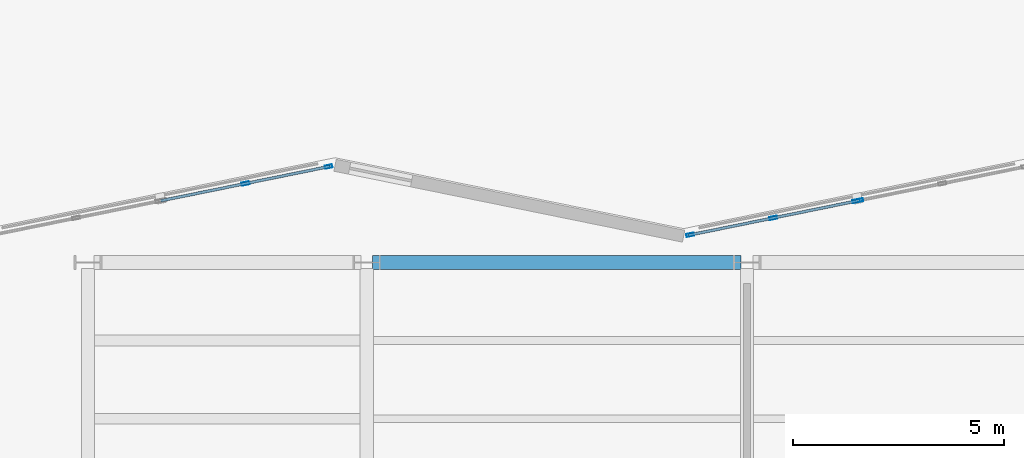
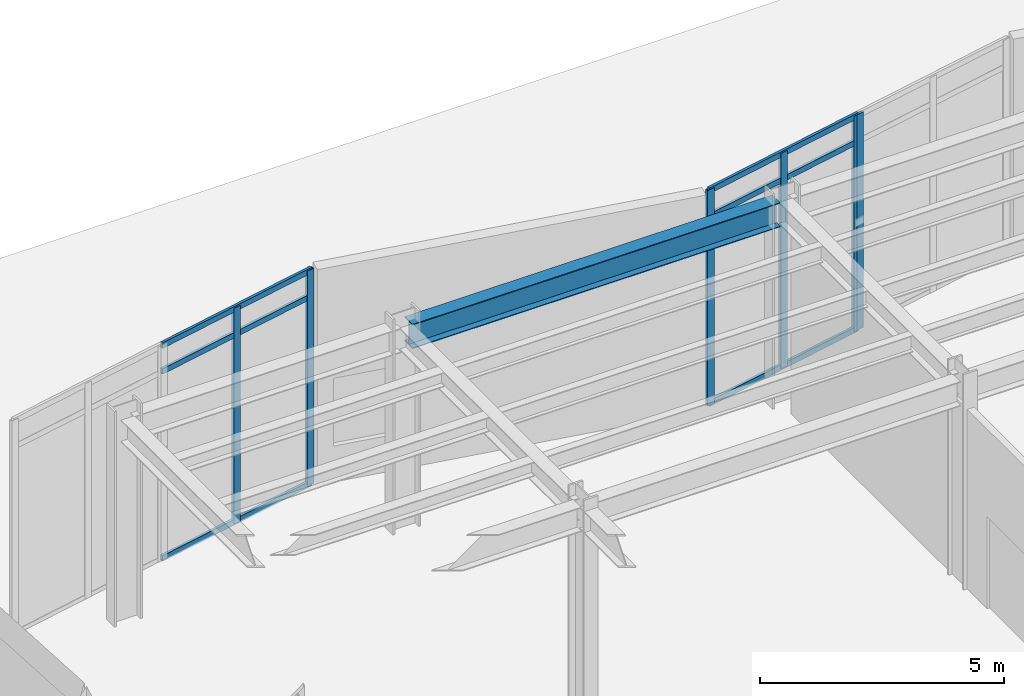
# One storey, part 54 of 94: 12 members, 1 beam, 3 elements without a shape of their own.
"""IFC4 building model written with IfcOpenShell, lengths in metres."""

from ifc_helpers import new_model, si_unit, direction, frame, origin, origin_2d, place, context, subcontext, project, spatial, hollow_rectangle, i_section, extrude, material, layer, layer_set, material_profile, profile_set, type_object, element, aggregate, save


model = new_model("IFC4")

# Units and contexts
model_context = context("Model", 3, precision=1e-05, world=origin(), true_north=direction((0.0, 1.0)))
body_context = subcontext(model_context, "Body", "Model", "MODEL_VIEW")
ifc_project = project(units=[si_unit("LENGTHUNIT", "METRE"), si_unit("AREAUNIT", "SQUARE_METRE"), si_unit("VOLUMEUNIT", "CUBIC_METRE"), si_unit("PLANEANGLEUNIT", "RADIAN"), si_unit("MASSUNIT", "GRAM", prefix="KILO")], contexts=[model_context])

# Site, building, storey
site_placement = place(None, origin())
site = spatial("IfcSite", under=ifc_project, at=site_placement, CompositionType="ELEMENT")
building_placement = place(site_placement, origin())
building = spatial("IfcBuilding", under=site, at=building_placement, Name="Sollismere Congress Hotel", CompositionType="ELEMENT")
storey_placement = place(building_placement, origin())
storey = spatial("IfcBuildingStorey", under=building, at=storey_placement, Name="L00", CompositionType="ELEMENT", Elevation=0.0)

# Beam
ifc_material_1 = material(Name="Steel ASTM A992 Grade 50", Category="steel")
ifc_material_profile_1 = material_profile(ifc_material_1, i_section(OverallWidth=0.324951171875, OverallDepth=0.612060546875, WebThickness=0.0126953125, FlangeThickness=0.01904296875, at=origin_2d()), Name="W24X104")
ifc_profile_set_1 = profile_set([ifc_material_profile_1], Name="Steel ASTM A992 Grade 50")
beam_type = type_object("IfcBeamType", Name="BM-G24", PredefinedType="BEAM", material=ifc_profile_set_1)
beam_placement = place(storey_placement, frame((67.139892578125, 102.39990234375, 4.80908203125), z_axis=(1.0, 0.0, 0.0), x_axis=(0.0, 1.0, 0.0)))
element("IfcBeam", 1, at=beam_placement, inside=storey, type_object=beam_type, Name="Beam BM-L00-1217", PredefinedType="BEAM", context=body_context, shape_type="SweptSolid", body=[
    extrude(i_section(OverallWidth=0.324951171875, OverallDepth=0.612060546875, WebThickness=0.0126953125, FlangeThickness=0.01904296875, at=origin_2d()), origin(), (0.0, 0.0, 1.0), 8.72021484375),
])

# Curtain wall, members
ifc_material_2 = material(Name="Anodized Bronze Curtain Wall & Low-E Triple Glazing", Category="glass")
ifc_layer = layer(ifc_material_2, 0.199951171875, Name="Anodized Bronze Curtain Wall & Low-E Triple Glazing")
ifc_layer_set = layer_set([ifc_layer], Name="Anodized Bronze Curtain Wall & Low-E Triple Glazing")
curtain_wall_type = type_object("IfcCurtainWallType", Name="CW-GLZ36", PredefinedType="USERDEFINED", material=ifc_layer_set)
curtain_wall_1_placement = place(storey_placement, origin())
curtain_wall_1 = element("IfcCurtainWall", 2, at=curtain_wall_1_placement, inside=storey, type_object=curtain_wall_type, Name="Unitised curtain wall CW-L00-066", ObjectType="UNITISED CURTAIN WALL", PredefinedType="USERDEFINED")
ifc_material_3 = material(Name="Anodized Aluminum 6063-T6", Category="aluminium")
ifc_material_profile_2 = material_profile(ifc_material_3, hollow_rectangle(XDim=0.074951171875, YDim=0.179931640625, WallThickness=0.0048828125, at=origin_2d()), Name="ALU180X75X5")
ifc_profile_set_2 = profile_set([ifc_material_profile_2], Name="Anodized Aluminum 6063-T6")
member_type_1 = type_object("IfcMemberType", Name="ML-CW180", PredefinedType="MULLION", material=ifc_profile_set_2)
member_1_placement = place(storey_placement, frame((64.128662109375, 104.266845703125, 0.0), z_axis=(0.0, 0.0, 1.0), x_axis=(-0.199367934417, 0.979924704621, 0.0)))
member_1 = element("IfcMember", 3, at=member_1_placement, type_object=member_type_1, Name="CWL-CW-L00-066-ML02", PredefinedType="MULLION", context=body_context, shape_type="SweptSolid", body=[
    extrude(hollow_rectangle(XDim=0.074951171875, YDim=0.179931640625, WallThickness=0.0048828125, at=origin_2d()), origin(), (0.0, 0.0, 1.0), 5.39990234375),
])
member_2_placement = place(storey_placement, frame((66.09521484375, 104.6669921875, 0.0), z_axis=(0.0, 0.0, 1.0), x_axis=(-0.199367934417, 0.979924704621, 0.0)))
member_2 = element("IfcMember", 4, at=member_2_placement, type_object=member_type_1, Name="CWL-CW-L00-066-ML03", PredefinedType="MULLION", context=body_context, shape_type="SweptSolid", body=[
    extrude(hollow_rectangle(XDim=0.074951171875, YDim=0.179931640625, WallThickness=0.0048828125, at=origin_2d()), origin(), (0.0, 0.0, 1.0), 5.39990234375),
])

curtain_wall_2_placement = place(storey_placement, origin())
curtain_wall_2 = element("IfcCurtainWall", 5, at=curtain_wall_2_placement, inside=storey, type_object=curtain_wall_type, Name="Unitised curtain wall CW-L00-067", ObjectType="UNITISED CURTAIN WALL", PredefinedType="USERDEFINED")
member_3_placement = place(storey_placement, frame((74.65478515625, 103.051513671875, 0.0), z_axis=(0.0, 0.0, 1.0), x_axis=(-0.199367934417, 0.979924704621, 0.0)))
member_3 = element("IfcMember", 6, at=member_3_placement, type_object=member_type_1, Name="CWL-CW-L00-067-ML01", PredefinedType="MULLION", context=body_context, shape_type="SweptSolid", body=[
    extrude(hollow_rectangle(XDim=0.074951171875, YDim=0.179931640625, WallThickness=0.0048828125, at=origin_2d()), origin(), (0.0, 0.0, 1.0), 5.39990234375),
])
member_4_placement = place(storey_placement, frame((76.621337890625, 103.45166015625, 0.0), z_axis=(0.0, 0.0, 1.0), x_axis=(-0.199367934417, 0.979924704621, 0.0)))
member_4 = element("IfcMember", 7, at=member_4_placement, type_object=member_type_1, Name="CWL-CW-L00-067-ML02", PredefinedType="MULLION", context=body_context, shape_type="SweptSolid", body=[
    extrude(hollow_rectangle(XDim=0.074951171875, YDim=0.179931640625, WallThickness=0.0048828125, at=origin_2d()), origin(), (0.0, 0.0, 1.0), 5.39990234375),
])
member_5_placement = place(storey_placement, frame((78.587890625, 103.851806640625, 0.0), z_axis=(0.0, 0.0, 1.0), x_axis=(-0.199367934417, 0.979924704621, 0.0)))
member_5 = element("IfcMember", 8, at=member_5_placement, type_object=member_type_1, Name="CWL-CW-L00-067-ML03", PredefinedType="MULLION", context=body_context, shape_type="SweptSolid", body=[
    extrude(hollow_rectangle(XDim=0.074951171875, YDim=0.179931640625, WallThickness=0.0048828125, at=origin_2d()), origin(), (0.0, 0.0, 1.0), 5.39990234375),
])

# Curtain wall, member
curtain_wall_3_placement = place(storey_placement, origin())
curtain_wall_3 = element("IfcCurtainWall", 9, at=curtain_wall_3_placement, inside=storey, type_object=curtain_wall_type, Name="Unitised curtain wall CW-L00-068", ObjectType="UNITISED CURTAIN WALL", PredefinedType="USERDEFINED")
member_6_placement = place(storey_placement, frame((78.662109375, 103.86669921875, 0.0), z_axis=(0.0, 0.0, 1.0), x_axis=(-0.199367934417, 0.979924704621, 0.0)))
member_6 = element("IfcMember", 10, at=member_6_placement, type_object=member_type_1, Name="CWL-CW-L00-068-ML01", PredefinedType="MULLION", context=body_context, shape_type="SweptSolid", body=[
    extrude(hollow_rectangle(XDim=0.074951171875, YDim=0.179931640625, WallThickness=0.0048828125, at=origin_2d()), origin(), (0.0, 0.0, 1.0), 5.39990234375),
])
aggregate(curtain_wall_3, [member_6])

# Member
ifc_material_profile_3 = material_profile(ifc_material_3, hollow_rectangle(XDim=0.06494140625, YDim=0.139892578125, WallThickness=0.00390625, at=origin_2d()), Name="ALU140X65X4")
ifc_profile_set_3 = profile_set([ifc_material_profile_3], Name="Anodized Aluminum 6063-T6")
member_type_2 = type_object("IfcMemberType", Name="TR-CW150", PredefinedType="MEMBER", material=ifc_profile_set_3)
member_7_placement = place(storey_placement, frame((62.125, 103.859375, 0.032470703125), z_axis=(0.979930139944, 0.199341217087, 0.0), x_axis=(-0.199341217087, 0.979930139944, 0.0)))
member_7 = element("IfcMember", 11, at=member_7_placement, type_object=member_type_2, Name="CWL-CW-L00-066-TR1", PredefinedType="MEMBER", context=body_context, shape_type="SweptSolid", body=[
    extrude(hollow_rectangle(XDim=0.06494140625, YDim=0.139892578125, WallThickness=0.00390625, at=origin_2d()), origin(), (0.0, 0.0, 1.0), 4.08935546875),
])

member_8_placement = place(storey_placement, frame((62.125, 103.859375, 4.719970703125), z_axis=(0.979930139944, 0.199341217087, 0.0), x_axis=(-0.199341217087, 0.979930139944, 0.0)))
member_8 = element("IfcMember", 12, at=member_8_placement, type_object=member_type_2, Name="CWL-CW-L00-066-TR2", PredefinedType="MEMBER", context=body_context, shape_type="SweptSolid", body=[
    extrude(hollow_rectangle(XDim=0.06494140625, YDim=0.139892578125, WallThickness=0.00390625, at=origin_2d()), origin(), (0.0, 0.0, 1.0), 4.08935546875),
])

member_9_placement = place(storey_placement, frame((62.125, 103.859375, 5.367431640625), z_axis=(0.979930139944, 0.199341217087, 0.0), x_axis=(-0.199341217087, 0.979930139944, 0.0)))
member_9 = element("IfcMember", 13, at=member_9_placement, type_object=member_type_2, Name="CWL-CW-L00-066-TR3", PredefinedType="MEMBER", context=body_context, shape_type="SweptSolid", body=[
    extrude(hollow_rectangle(XDim=0.06494140625, YDim=0.139892578125, WallThickness=0.00390625, at=origin_2d()), origin(), (0.0, 0.0, 1.0), 4.08935546875),
])

aggregate(curtain_wall_1, [member_1, member_2, member_7, member_8, member_9])

member_10_placement = place(storey_placement, frame((74.61767578125, 103.0439453125, 0.032470703125), z_axis=(0.979918476409, 0.199398544609, 0.0), x_axis=(-0.199398544609, 0.979918476409, 0.0)))
member_10 = element("IfcMember", 14, at=member_10_placement, type_object=member_type_2, Name="CWL-CW-L00-067-TR1", PredefinedType="MEMBER", context=body_context, shape_type="SweptSolid", body=[
    extrude(hollow_rectangle(XDim=0.06494140625, YDim=0.139892578125, WallThickness=0.00390625, at=origin_2d()), origin(), (0.0, 0.0, 1.0), 4.08935546875),
])

member_11_placement = place(storey_placement, frame((74.61767578125, 103.0439453125, 4.719970703125), z_axis=(0.979918476409, 0.199398544609, 0.0), x_axis=(-0.199398544609, 0.979918476409, 0.0)))
member_11 = element("IfcMember", 15, at=member_11_placement, type_object=member_type_2, Name="CWL-CW-L00-067-TR2", PredefinedType="MEMBER", context=body_context, shape_type="SweptSolid", body=[
    extrude(hollow_rectangle(XDim=0.06494140625, YDim=0.139892578125, WallThickness=0.00390625, at=origin_2d()), origin(), (0.0, 0.0, 1.0), 4.08935546875),
])

member_12_placement = place(storey_placement, frame((74.61767578125, 103.0439453125, 5.367431640625), z_axis=(0.979918476409, 0.199398544609, 0.0), x_axis=(-0.199398544609, 0.979918476409, 0.0)))
member_12 = element("IfcMember", 16, at=member_12_placement, type_object=member_type_2, Name="CWL-CW-L00-067-TR3", PredefinedType="MEMBER", context=body_context, shape_type="SweptSolid", body=[
    extrude(hollow_rectangle(XDim=0.06494140625, YDim=0.139892578125, WallThickness=0.00390625, at=origin_2d()), origin(), (0.0, 0.0, 1.0), 4.08935546875),
])

aggregate(curtain_wall_2, [member_3, member_4, member_5, member_10, member_11, member_12])

save(model, "model.ifc")
